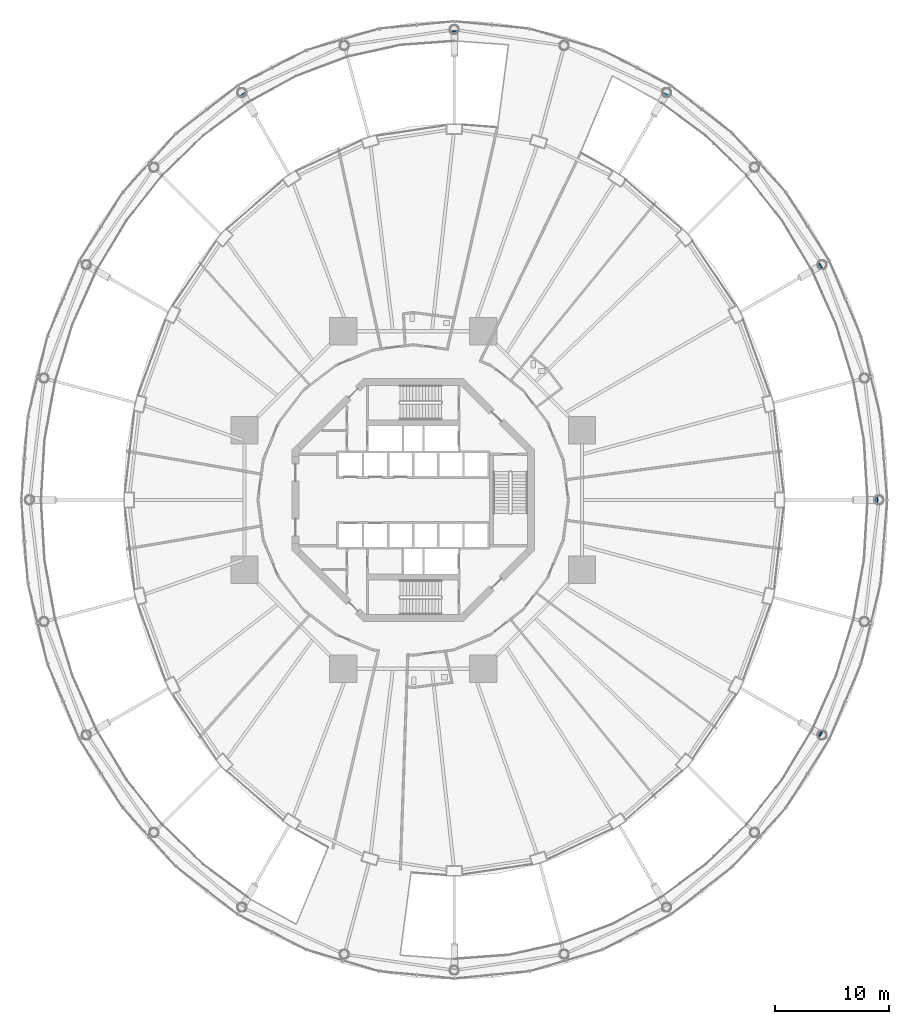
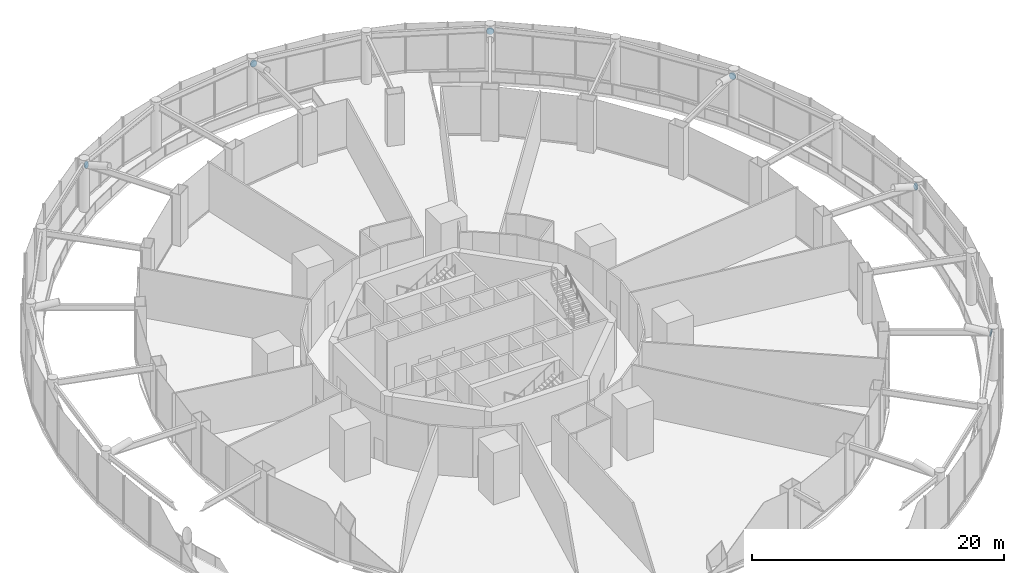
# One storey, part 49 of 52: 6 discrete accessories.
"""IFC4 building model written with IfcOpenShell, lengths in metres."""

from ifc_helpers import new_model, si_unit, direction, frame, origin, origin_2d, place, context, subcontext, project, spatial, circle, extrude, material, layer, layer_set, type_object, element, save


model = new_model("IFC4")

# Units and contexts
model_context = context("Model", 3, precision=1e-05, world=origin(), true_north=direction((0.0, 1.0)))
body_context = subcontext(model_context, "Body", "Model", "MODEL_VIEW")
ifc_project = project(units=[si_unit("LENGTHUNIT", "METRE"), si_unit("AREAUNIT", "SQUARE_METRE"), si_unit("VOLUMEUNIT", "CUBIC_METRE"), si_unit("PLANEANGLEUNIT", "RADIAN"), si_unit("MASSUNIT", "GRAM", prefix="KILO")], contexts=[model_context])

# Site, building, storey
site_placement = place(None, origin())
site = spatial("IfcSite", under=ifc_project, at=site_placement, CompositionType="ELEMENT")
building_placement = place(site_placement, origin())
building = spatial("IfcBuilding", under=site, at=building_placement, Name="Nagisa Residences", CompositionType="ELEMENT")
storey_placement = place(building_placement, frame((0.0, 0.0, 22.0)))
storey = spatial("IfcBuildingStorey", under=building, at=storey_placement, Name="L04", CompositionType="ELEMENT", Elevation=22.0)

# Discrete accessories
ifc_material = material(Name="Steel ASTM A572 Gr 50", Category="steel")
ifc_layer = layer(ifc_material, 0.030029296875)
ifc_layer_set = layer_set([ifc_layer], Name="Node plate")
discrete_accessory_type = type_object("IfcDiscreteAccessoryType", Name="Node plate", PredefinedType="ANCHORPLATE", material=ifc_layer_set)
for number, where, z_axis, x_axis, name in (
    (1, (40.60009765625, 0.0, 4.39990234375), (0.963048734757, 0.0, -0.269327188534), (0.0, 1.0, 0.0), "Node plate ST1T01"),
    (2, (35.642822265625, 20.5, 4.39990234375), (0.836018030887, 0.47888411478, -0.26785043708), (-0.497045922111, 0.867724236905, 0.0), "Node plate ST1T02"),
):
    element("IfcDiscreteAccessory", number, at=place(storey_placement, frame(where, z_axis=z_axis, x_axis=x_axis)), inside=storey, type_object=discrete_accessory_type, Name=name, PredefinedType="ANCHORPLATE", context=body_context, shape_type="SweptSolid", body=[
        extrude(circle(Radius=0.304931640625, at=origin_2d()), origin(), (0.0, 0.0, 1.0), 0.030029296875),
    ])
discrete_accessory_1_placement = place(storey_placement, frame((22.10009765625, 35.507080078125, 4.39990234375), z_axis=(0.482151028203, 0.833549235199, -0.269677693741), x_axis=(-0.865619895442, 0.500701704226, 0.0)))
element("IfcDiscreteAccessory", 3, at=discrete_accessory_1_placement, inside=storey, type_object=discrete_accessory_type, Name="Node plate ST1T03", PredefinedType="ANCHORPLATE", context=body_context, shape_type="SweptSolid", body=[
    extrude(circle(Radius=0.304931640625, at=origin_2d()), origin(), (0.0, 0.0, 1.0), 0.02978515625),
])
discrete_accessory_2_placement = place(storey_placement, frame((3.60009765625, 41.0, 4.39990234375), z_axis=(0.0, 0.963048734757, -0.269327188534), x_axis=(-1.0, 0.0, 0.0)))
element("IfcDiscreteAccessory", 4, at=discrete_accessory_2_placement, inside=storey, type_object=discrete_accessory_type, Name="Node plate ST1T04", PredefinedType="ANCHORPLATE", context=body_context, shape_type="SweptSolid", body=[
    extrude(circle(Radius=0.304931640625, at=origin_2d()), origin(), (0.0, 0.0, 1.0), 0.030029296875),
])
discrete_accessory_3_placement = place(storey_placement, frame((-14.89990234375, 35.507080078125, 4.39990234375), z_axis=(-0.482151028203, 0.833549235199, -0.269677693741), x_axis=(-0.865619895442, -0.500701704226, 0.0)))
element("IfcDiscreteAccessory", 5, at=discrete_accessory_3_placement, inside=storey, type_object=discrete_accessory_type, Name="Node plate ST1T05", PredefinedType="ANCHORPLATE", context=body_context, shape_type="SweptSolid", body=[
    extrude(circle(Radius=0.304931640625, at=origin_2d()), origin(), (0.0, 0.0, 1.0), 0.02978515625),
])
discrete_accessory_4_placement = place(storey_placement, frame((35.642822265625, -20.5, 4.39990234375), z_axis=(0.836018030887, -0.47888411478, -0.26785043708), x_axis=(0.497045922111, 0.867724236905, 0.0)))
element("IfcDiscreteAccessory", 6, at=discrete_accessory_4_placement, inside=storey, type_object=discrete_accessory_type, Name="Node plate ST1T12", PredefinedType="ANCHORPLATE", context=body_context, shape_type="SweptSolid", body=[
    extrude(circle(Radius=0.304931640625, at=origin_2d()), origin(), (0.0, 0.0, 1.0), 0.030029296875),
])

save(model, "model.ifc")
